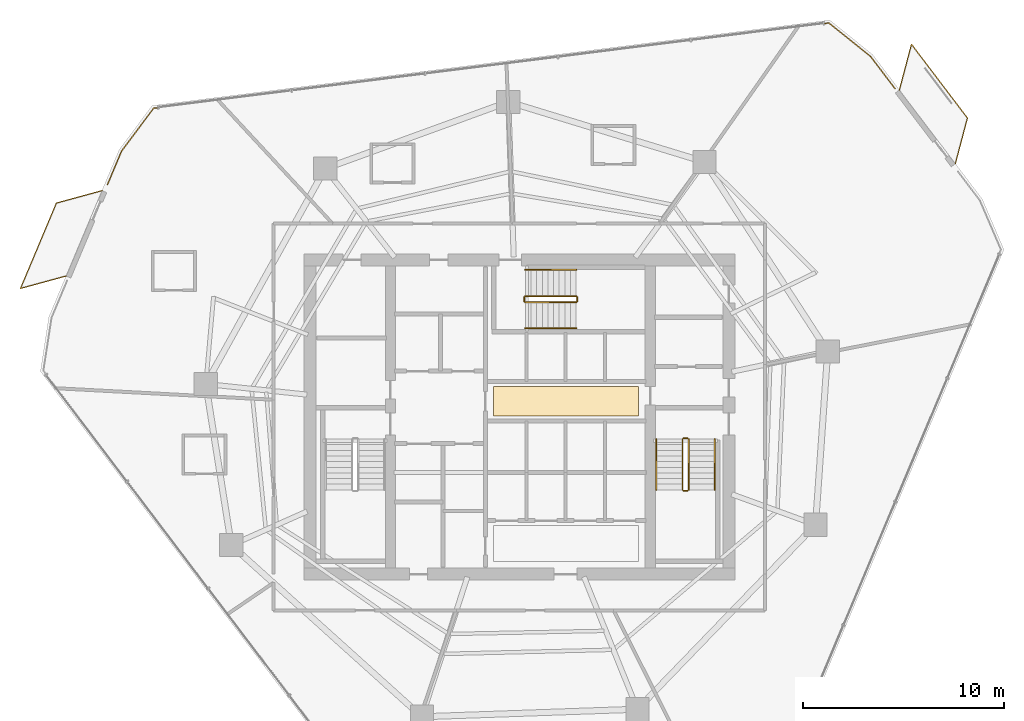
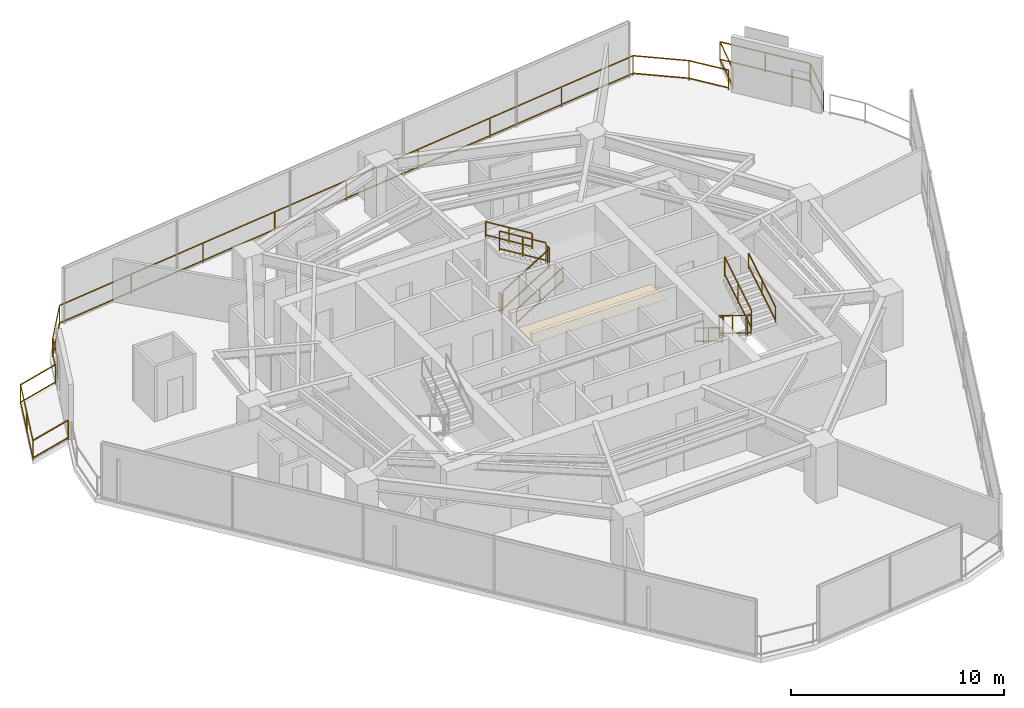
# One storey, part 30 of 30: 16 railings, 1 covering.
"""IFC4 building model written with IfcOpenShell, lengths in metres."""

from ifc_helpers import new_model, si_unit, direction, frame, origin, origin_2d, place, context, subcontext, project, spatial, rectangle, extrude, material, layer, layer_set, type_object, element, save


model = new_model("IFC4")

# Units and contexts
model_context = context("Model", 3, precision=1e-05, world=origin(), true_north=direction((0.0, 1.0)))
body_context = subcontext(model_context, "Body", "Model", "MODEL_VIEW")
ifc_project = project(units=[si_unit("LENGTHUNIT", "METRE"), si_unit("AREAUNIT", "SQUARE_METRE"), si_unit("VOLUMEUNIT", "CUBIC_METRE"), si_unit("PLANEANGLEUNIT", "RADIAN"), si_unit("MASSUNIT", "GRAM", prefix="KILO")], contexts=[model_context])

# Site, building, storey
site_placement = place(None, origin())
site = spatial("IfcSite", under=ifc_project, at=site_placement, CompositionType="ELEMENT")
building_placement = place(site_placement, origin())
building = spatial("IfcBuilding", under=site, at=building_placement, Name="Qarnah Convention Tower", CompositionType="ELEMENT")
storey_placement = place(building_placement, frame((0.0, 0.0, 93.60009765625)))
storey = spatial("IfcBuildingStorey", under=building, at=storey_placement, Name="L24", CompositionType="ELEMENT", Elevation=93.60009765625)

# Covering
ifc_material_1 = material(Name="Mineral fibre acoustic ceiling")
ifc_layer = layer(ifc_material_1, 0.02001953125)
ifc_layer_set = layer_set([ifc_layer], Name="Mineral fibre acoustic ceiling")
covering_type = type_object("IfcCoveringType", Name="COV-CEIL-20", PredefinedType="CEILING", material=ifc_layer_set)
covering_placement = place(storey_placement, frame((39.52001953125, 27.179931640625, 2.289794921875), z_axis=(0.0, 0.0, 1.0), x_axis=(1.0, 0.0, 0.0)))
element("IfcCovering", 1, at=covering_placement, inside=storey, type_object=covering_type, Name="L24 lift lobby acoustic ceiling", PredefinedType="CEILING", context=body_context, shape_type="SweptSolid", body=[
    extrude(rectangle(XDim=7.199951171875, YDim=1.449951171875, at=origin_2d()), origin(), (0.0, 0.0, 1.0), 0.02001953125),
])

# Railings
ifc_material_2 = material(Name="Black anodised aluminium", Category="aluminium")
railing_type_1 = type_object("IfcRailingType", Name="RL-EXT-GUARD-1150", PredefinedType="GUARDRAIL", material=ifc_material_2)
railing_1_placement = place(storey_placement, frame((54.637939453125, 44.294921875, 0.0)))
element("IfcRailing", 2, at=railing_1_placement, inside=storey, type_object=railing_type_1, Name="L24 slab-edge perimeter safety guard 01", PredefinedType="GUARDRAIL", context=body_context, shape_type="SweptSolid", body=[
    extrude(rectangle(XDim=0.048095703125, YDim=0.048095703125, at=origin_2d()), frame((0.0, 0.0, 1.1259765625), z_axis=(0.604378514325, -0.796697314808, 0.0), x_axis=(0.796697314808, 0.604378514325, 0.0)), (0.0, 0.0, 1.0), 2.01220703125),
    extrude(rectangle(XDim=0.048095703125, YDim=0.048095703125, at=origin_2d()), frame((0.0, 0.0, 0.1201171875), z_axis=(0.604378514325, -0.796697314808, 0.0), x_axis=(0.796697314808, 0.604378514325, 0.0)), (0.0, 0.0, 1.0), 2.01220703125),
    extrude(rectangle(XDim=0.0419921875, YDim=0.0419921875, at=origin_2d()), origin(), (0.0, 0.0, 1.0), 1.101806640625),
    extrude(rectangle(XDim=0.0419921875, YDim=0.0419921875, at=origin_2d()), frame((1.216064453125, -1.60302734375, 0.0)), (0.0, 0.0, 1.0), 1.101806640625),
])
railing_2_placement = place(storey_placement, frame((16.756103515625, 37.93701171875, 0.0)))
element("IfcRailing", 3, at=railing_2_placement, inside=storey, type_object=railing_type_1, Name="L24 slab-edge perimeter safety guard 03", PredefinedType="GUARDRAIL", context=body_context, shape_type="SweptSolid", body=[
    extrude(rectangle(XDim=0.048095703125, YDim=0.048095703125, at=origin_2d()), frame((0.0, 0.0, 1.1259765625), z_axis=(0.387050332514, 0.922058588215, 0.0), x_axis=(-0.922058588215, 0.387050332514, 0.0)), (0.0, 0.0, 1.0), 1.80029296875),
    extrude(rectangle(XDim=0.048095703125, YDim=0.048095703125, at=origin_2d()), frame((0.0, 0.0, 0.1201171875), z_axis=(0.387050332514, 0.922058588215, 0.0), x_axis=(-0.922058588215, 0.387050332514, 0.0)), (0.0, 0.0, 1.0), 1.80029296875),
    extrude(rectangle(XDim=0.048095703125, YDim=0.048095703125, at=origin_2d()), frame((0.69677734375, 1.659912109375, 1.1259765625), z_axis=(0.599074132276, 0.800693564379, 0.0), x_axis=(-0.800693564379, 0.599074132276, 0.0)), (0.0, 0.0, 1.0), 2.6591796875),
    extrude(rectangle(XDim=0.048095703125, YDim=0.048095703125, at=origin_2d()), frame((0.69677734375, 1.659912109375, 0.1201171875), z_axis=(0.599074132276, 0.800693564379, 0.0), x_axis=(-0.800693564379, 0.599074132276, 0.0)), (0.0, 0.0, 1.0), 2.6591796875),
    extrude(rectangle(XDim=0.048095703125, YDim=0.048095703125, at=origin_2d()), frame((2.289794921875, 3.7890625, 1.1259765625), z_axis=(0.992117644789, 0.125309931362, 0.0), x_axis=(-0.125309931362, 0.992117644789, 0.0)), (0.0, 0.0, 1.0), 33.787353515625),
    extrude(rectangle(XDim=0.048095703125, YDim=0.048095703125, at=origin_2d()), frame((2.289794921875, 3.7890625, 0.1201171875), z_axis=(0.992117644789, 0.125309931362, 0.0), x_axis=(-0.125309931362, 0.992117644789, 0.0)), (0.0, 0.0, 1.0), 33.787353515625),
    extrude(rectangle(XDim=0.048095703125, YDim=0.048095703125, at=origin_2d()), frame((35.810791015625, 8.02294921875, 1.1259765625), z_axis=(0.779360715972, -0.626575513725, 0.0), x_axis=(0.626575513725, 0.779360715972, 0.0)), (0.0, 0.0, 1.0), 2.657470703125),
    extrude(rectangle(XDim=0.048095703125, YDim=0.048095703125, at=origin_2d()), frame((35.810791015625, 8.02294921875, 0.1201171875), z_axis=(0.779360715972, -0.626575513725, 0.0), x_axis=(0.626575513725, 0.779360715972, 0.0)), (0.0, 0.0, 1.0), 2.657470703125),
    extrude(rectangle(XDim=0.0419921875, YDim=0.0419921875, at=origin_2d()), origin(), (0.0, 0.0, 1.0), 1.101806640625),
    extrude(rectangle(XDim=0.0419921875, YDim=0.0419921875, at=origin_2d()), frame((0.69677734375, 1.659912109375, 0.0)), (0.0, 0.0, 1.0), 1.101806640625),
    extrude(rectangle(XDim=0.0419921875, YDim=0.0419921875, at=origin_2d()), frame((2.289794921875, 3.7890625, 0.0)), (0.0, 0.0, 1.0), 1.101806640625),
    extrude(rectangle(XDim=0.0419921875, YDim=0.0419921875, at=origin_2d()), frame((6.47998046875, 4.318359375, 0.0)), (0.0, 0.0, 1.0), 1.101806640625),
    extrude(rectangle(XDim=0.0419921875, YDim=0.0419921875, at=origin_2d()), frame((10.669921875, 4.84765625, 0.0)), (0.0, 0.0, 1.0), 1.101806640625),
    extrude(rectangle(XDim=0.0419921875, YDim=0.0419921875, at=origin_2d()), frame((14.860107421875, 5.376708984375, 0.0)), (0.0, 0.0, 1.0), 1.101806640625),
    extrude(rectangle(XDim=0.0419921875, YDim=0.0419921875, at=origin_2d()), frame((19.05029296875, 5.906005859375, 0.0)), (0.0, 0.0, 1.0), 1.101806640625),
    extrude(rectangle(XDim=0.0419921875, YDim=0.0419921875, at=origin_2d()), frame((23.240478515625, 6.435302734375, 0.0)), (0.0, 0.0, 1.0), 1.101806640625),
    extrude(rectangle(XDim=0.0419921875, YDim=0.0419921875, at=origin_2d()), frame((27.4306640625, 6.96435546875, 0.0)), (0.0, 0.0, 1.0), 1.101806640625),
    extrude(rectangle(XDim=0.0419921875, YDim=0.0419921875, at=origin_2d()), frame((31.62060546875, 7.49365234375, 0.0)), (0.0, 0.0, 1.0), 1.101806640625),
    extrude(rectangle(XDim=0.0419921875, YDim=0.0419921875, at=origin_2d()), frame((35.810791015625, 8.02294921875, 0.0)), (0.0, 0.0, 1.0), 1.101806640625),
    extrude(rectangle(XDim=0.0419921875, YDim=0.0419921875, at=origin_2d()), frame((37.8818359375, 6.35791015625, 0.0)), (0.0, 0.0, 1.0), 1.101806640625),
])
railing_3_placement = place(storey_placement, frame((56.06689453125, 42.635009765625, 0.0)))
element("IfcRailing", 4, at=railing_3_placement, inside=storey, type_object=railing_type_1, Name="L24 balcony safety guard BAL-L24-C1", PredefinedType="GUARDRAIL", context=body_context, shape_type="SweptSolid", body=[
    extrude(rectangle(XDim=0.048095703125, YDim=0.048095703125, at=origin_2d()), frame((0.0, 0.0, 1.1259765625), z_axis=(0.255578174836, 0.966788392849, 0.0), x_axis=(-0.966788392849, 0.255578174836, 0.0)), (0.0, 0.0, 1.0), 2.347900390625),
    extrude(rectangle(XDim=0.048095703125, YDim=0.048095703125, at=origin_2d()), frame((0.0, 0.0, 0.1201171875), z_axis=(0.255578174836, 0.966788392849, 0.0), x_axis=(-0.966788392849, 0.255578174836, 0.0)), (0.0, 0.0, 1.0), 2.347900390625),
    extrude(rectangle(XDim=0.048095703125, YDim=0.048095703125, at=origin_2d()), frame((0.60009765625, 2.27001953125, 1.1259765625), z_axis=(0.604575811397, -0.79654760578, 0.0), x_axis=(0.79654760578, 0.604575811397, 0.0)), (0.0, 0.0, 1.0), 4.599853515625),
    extrude(rectangle(XDim=0.048095703125, YDim=0.048095703125, at=origin_2d()), frame((0.60009765625, 2.27001953125, 0.1201171875), z_axis=(0.604575811397, -0.79654760578, 0.0), x_axis=(0.79654760578, 0.604575811397, 0.0)), (0.0, 0.0, 1.0), 4.599853515625),
    extrude(rectangle(XDim=0.048095703125, YDim=0.048095703125, at=origin_2d()), frame((3.381103515625, -1.39404296875, 1.1259765625), z_axis=(-0.255578174836, -0.966788392849, 0.0), x_axis=(0.966788392849, -0.255578174836, 0.0)), (0.0, 0.0, 1.0), 2.347900390625),
    extrude(rectangle(XDim=0.048095703125, YDim=0.048095703125, at=origin_2d()), frame((3.381103515625, -1.39404296875, 0.1201171875), z_axis=(-0.255578174836, -0.966788392849, 0.0), x_axis=(0.966788392849, -0.255578174836, 0.0)), (0.0, 0.0, 1.0), 2.347900390625),
    extrude(rectangle(XDim=0.0419921875, YDim=0.0419921875, at=origin_2d()), origin(), (0.0, 0.0, 1.0), 1.101806640625),
    extrude(rectangle(XDim=0.0419921875, YDim=0.0419921875, at=origin_2d()), frame((0.60009765625, 2.27001953125, 0.0)), (0.0, 0.0, 1.0), 1.101806640625),
    extrude(rectangle(XDim=0.0419921875, YDim=0.0419921875, at=origin_2d()), frame((1.99072265625, 0.43798828125, 0.0)), (0.0, 0.0, 1.0), 1.101806640625),
    extrude(rectangle(XDim=0.0419921875, YDim=0.0419921875, at=origin_2d()), frame((3.381103515625, -1.39404296875, 0.0)), (0.0, 0.0, 1.0), 1.101806640625),
    extrude(rectangle(XDim=0.0419921875, YDim=0.0419921875, at=origin_2d()), frame((2.781005859375, -3.6640625, 0.0)), (0.0, 0.0, 1.0), 1.101806640625),
])
railing_4_placement = place(storey_placement, frame((14.699951171875, 33.39404296875, 0.0)))
element("IfcRailing", 5, at=railing_4_placement, inside=storey, type_object=railing_type_1, Name="L24 balcony safety guard BAL-L24-C2", PredefinedType="GUARDRAIL", context=body_context, shape_type="SweptSolid", body=[
    extrude(rectangle(XDim=0.048095703125, YDim=0.048095703125, at=origin_2d()), frame((0.0, 0.0, 1.1259765625), z_axis=(-0.964979441588, -0.262325517846, 0.0), x_axis=(0.262325517846, -0.964979441588, 0.0)), (0.0, 0.0, 1.0), 2.34814453125),
    extrude(rectangle(XDim=0.048095703125, YDim=0.048095703125, at=origin_2d()), frame((0.0, 0.0, 0.1201171875), z_axis=(-0.964979441588, -0.262325517846, 0.0), x_axis=(0.262325517846, -0.964979441588, 0.0)), (0.0, 0.0, 1.0), 2.34814453125),
    extrude(rectangle(XDim=0.048095703125, YDim=0.048095703125, at=origin_2d()), frame((-2.265869140625, -0.615966796875, 1.1259765625), z_axis=(0.387556354525, 0.921846013208, 0.0), x_axis=(-0.921846013208, 0.387556354525, 0.0)), (0.0, 0.0, 1.0), 4.6005859375),
    extrude(rectangle(XDim=0.048095703125, YDim=0.048095703125, at=origin_2d()), frame((-2.265869140625, -0.615966796875, 0.1201171875), z_axis=(0.387556354525, 0.921846013208, 0.0), x_axis=(-0.921846013208, 0.387556354525, 0.0)), (0.0, 0.0, 1.0), 4.6005859375),
    extrude(rectangle(XDim=0.048095703125, YDim=0.048095703125, at=origin_2d()), frame((-0.48291015625, 3.625, 1.1259765625), z_axis=(0.964950804697, 0.262430837582, 0.0), x_axis=(-0.262430837582, 0.964950804697, 0.0)), (0.0, 0.0, 1.0), 2.34716796875),
    extrude(rectangle(XDim=0.048095703125, YDim=0.048095703125, at=origin_2d()), frame((-0.48291015625, 3.625, 0.1201171875), z_axis=(0.964950804697, 0.262430837582, 0.0), x_axis=(-0.262430837582, 0.964950804697, 0.0)), (0.0, 0.0, 1.0), 2.34716796875),
    extrude(rectangle(XDim=0.0419921875, YDim=0.0419921875, at=origin_2d()), origin(), (0.0, 0.0, 1.0), 1.101806640625),
    extrude(rectangle(XDim=0.0419921875, YDim=0.0419921875, at=origin_2d()), frame((-2.265869140625, -0.615966796875, 0.0)), (0.0, 0.0, 1.0), 1.101806640625),
    extrude(rectangle(XDim=0.0419921875, YDim=0.0419921875, at=origin_2d()), frame((-1.37451171875, 1.50439453125, 0.0)), (0.0, 0.0, 1.0), 1.101806640625),
    extrude(rectangle(XDim=0.0419921875, YDim=0.0419921875, at=origin_2d()), frame((-0.48291015625, 3.625, 0.0)), (0.0, 0.0, 1.0), 1.101806640625),
    extrude(rectangle(XDim=0.0419921875, YDim=0.0419921875, at=origin_2d()), frame((1.781982421875, 4.240966796875, 0.0)), (0.0, 0.0, 1.0), 1.101806640625),
])
ifc_material_3 = material(Name="Structural steel S355JR", Category="steel")
railing_type_2 = type_object("IfcRailingType", Name="RL-STAIR-GUARD-1150", PredefinedType="GUARDRAIL", material=ifc_material_3)
railing_5_placement = place(storey_placement, frame((45.300048828125, 25.300048828125, 0.17236328125)))
element("IfcRailing", 6, at=railing_5_placement, inside=storey, type_object=railing_type_2, Name="L24 ST-2 stair guard 1", PredefinedType="GUARDRAIL", context=body_context, shape_type="SweptSolid", body=[
    extrude(rectangle(XDim=0.048095703125, YDim=0.048095703125, at=origin_2d()), frame((0.0, 0.0, 1.1259765625), z_axis=(0.0, -0.851400495292, 0.524516154772), x_axis=(1.0, 0.0, 0.0)), (0.0, 0.0, 1.0), 2.9599609375),
    extrude(rectangle(XDim=0.048095703125, YDim=0.048095703125, at=origin_2d()), frame((0.0, 0.0, 0.1201171875), z_axis=(0.0, -0.851400495292, 0.524516154772), x_axis=(1.0, 0.0, 0.0)), (0.0, 0.0, 1.0), 2.9599609375),
    extrude(rectangle(XDim=0.0419921875, YDim=0.0419921875, at=origin_2d()), origin(), (0.0, 0.0, 1.0), 1.101806640625),
    extrude(rectangle(XDim=0.0419921875, YDim=0.0419921875, at=origin_2d()), frame((0.0, -1.260009765625, 0.7763671875)), (0.0, 0.0, 1.0), 1.101806640625),
    extrude(rectangle(XDim=0.0419921875, YDim=0.0419921875, at=origin_2d()), frame((0.0, -2.52001953125, 1.552490234375)), (0.0, 0.0, 1.0), 1.101806640625),
])
railing_6_placement = place(storey_placement, frame((45.35009765625, 22.72998046875, 1.724853515625)))
element("IfcRailing", 7, at=railing_6_placement, inside=storey, type_object=railing_type_2, Name="L24 ST-2 stair guard 2", PredefinedType="GUARDRAIL", context=body_context, shape_type="SweptSolid", body=[
    extrude(rectangle(XDim=0.048095703125, YDim=0.048095703125, at=origin_2d()), frame((0.0, 0.0, 1.1259765625), z_axis=(1.0, 0.0, 0.0), x_axis=(0.0, 1.0, 0.0)), (0.0, 0.0, 1.0), 0.199951171875),
    extrude(rectangle(XDim=0.048095703125, YDim=0.048095703125, at=origin_2d()), frame((0.0, 0.0, 0.1201171875), z_axis=(1.0, 0.0, 0.0), x_axis=(0.0, 1.0, 0.0)), (0.0, 0.0, 1.0), 0.199951171875),
    extrude(rectangle(XDim=0.0419921875, YDim=0.0419921875, at=origin_2d()), origin(), (0.0, 0.0, 1.0), 1.101806640625),
    extrude(rectangle(XDim=0.0419921875, YDim=0.0419921875, at=origin_2d()), frame((0.199951171875, 0.0, 0.0)), (0.0, 0.0, 1.0), 1.101806640625),
])
railing_7_placement = place(storey_placement, frame((45.60009765625, 22.780029296875, 1.8974609375)))
element("IfcRailing", 8, at=railing_7_placement, inside=storey, type_object=railing_type_2, Name="L24 ST-2 stair guard 3", PredefinedType="GUARDRAIL", context=body_context, shape_type="SweptSolid", body=[
    extrude(rectangle(XDim=0.048095703125, YDim=0.048095703125, at=origin_2d()), frame((0.0, 0.0, 1.1259765625), z_axis=(0.0, 0.851400495292, 0.524516154772), x_axis=(-1.0, 0.0, 0.0)), (0.0, 0.0, 1.0), 2.9599609375),
    extrude(rectangle(XDim=0.048095703125, YDim=0.048095703125, at=origin_2d()), frame((0.0, 0.0, 0.1201171875), z_axis=(0.0, 0.851400495292, 0.524516154772), x_axis=(-1.0, 0.0, 0.0)), (0.0, 0.0, 1.0), 2.9599609375),
    extrude(rectangle(XDim=0.0419921875, YDim=0.0419921875, at=origin_2d()), origin(), (0.0, 0.0, 1.0), 1.101806640625),
    extrude(rectangle(XDim=0.0419921875, YDim=0.0419921875, at=origin_2d()), frame((0.0, 1.260009765625, 0.7763671875)), (0.0, 0.0, 1.0), 1.101806640625),
    extrude(rectangle(XDim=0.0419921875, YDim=0.0419921875, at=origin_2d()), frame((0.0, 2.52001953125, 1.552490234375)), (0.0, 0.0, 1.0), 1.101806640625),
])
railing_8_placement = place(storey_placement, frame((45.35009765625, 25.35009765625, 0.0)))
element("IfcRailing", 9, at=railing_8_placement, inside=storey, type_object=railing_type_2, Name="L24 ST-2 stair guard 4", PredefinedType="GUARDRAIL", context=body_context, shape_type="SweptSolid", body=[
    extrude(rectangle(XDim=0.048095703125, YDim=0.048095703125, at=origin_2d()), frame((0.0, 0.0, 1.1259765625), z_axis=(1.0, 0.0, 0.0), x_axis=(0.0, 1.0, 0.0)), (0.0, 0.0, 1.0), 0.199951171875),
    extrude(rectangle(XDim=0.048095703125, YDim=0.048095703125, at=origin_2d()), frame((0.0, 0.0, 0.1201171875), z_axis=(1.0, 0.0, 0.0), x_axis=(0.0, 1.0, 0.0)), (0.0, 0.0, 1.0), 0.199951171875),
    extrude(rectangle(XDim=0.0419921875, YDim=0.0419921875, at=origin_2d()), origin(), (0.0, 0.0, 1.0), 1.101806640625),
    extrude(rectangle(XDim=0.0419921875, YDim=0.0419921875, at=origin_2d()), frame((0.199951171875, 0.0, 0.0)), (0.0, 0.0, 1.0), 1.101806640625),
])
railing_9_placement = place(storey_placement, frame((37.5, 32.10009765625, 0.17236328125)))
element("IfcRailing", 10, at=railing_9_placement, inside=storey, type_object=railing_type_2, Name="L24 ST-3 stair guard 1", PredefinedType="GUARDRAIL", context=body_context, shape_type="SweptSolid", body=[
    extrude(rectangle(XDim=0.048095703125, YDim=0.048095703125, at=origin_2d()), frame((0.0, 0.0, 1.1259765625), z_axis=(0.851400495292, 0.0, 0.524516154772), x_axis=(0.0, 1.0, 0.0)), (0.0, 0.0, 1.0), 2.9599609375),
    extrude(rectangle(XDim=0.048095703125, YDim=0.048095703125, at=origin_2d()), frame((0.0, 0.0, 0.1201171875), z_axis=(0.851400495292, 0.0, 0.524516154772), x_axis=(0.0, 1.0, 0.0)), (0.0, 0.0, 1.0), 2.9599609375),
    extrude(rectangle(XDim=0.0419921875, YDim=0.0419921875, at=origin_2d()), origin(), (0.0, 0.0, 1.0), 1.101806640625),
    extrude(rectangle(XDim=0.0419921875, YDim=0.0419921875, at=origin_2d()), frame((1.260009765625, 0.0, 0.7763671875)), (0.0, 0.0, 1.0), 1.101806640625),
    extrude(rectangle(XDim=0.0419921875, YDim=0.0419921875, at=origin_2d()), frame((2.52001953125, 0.0, 1.552490234375)), (0.0, 0.0, 1.0), 1.101806640625),
])
railing_10_placement = place(storey_placement, frame((40.070068359375, 32.14990234375, 1.724853515625)))
element("IfcRailing", 11, at=railing_10_placement, inside=storey, type_object=railing_type_2, Name="L24 ST-3 stair guard 2", PredefinedType="GUARDRAIL", context=body_context, shape_type="SweptSolid", body=[
    extrude(rectangle(XDim=0.048095703125, YDim=0.048095703125, at=origin_2d()), frame((0.0, 0.0, 1.1259765625), z_axis=(0.0, 1.0, 0.0), x_axis=(-1.0, 0.0, 0.0)), (0.0, 0.0, 1.0), 0.2001953125),
    extrude(rectangle(XDim=0.048095703125, YDim=0.048095703125, at=origin_2d()), frame((0.0, 0.0, 0.1201171875), z_axis=(0.0, 1.0, 0.0), x_axis=(-1.0, 0.0, 0.0)), (0.0, 0.0, 1.0), 0.2001953125),
    extrude(rectangle(XDim=0.0419921875, YDim=0.0419921875, at=origin_2d()), origin(), (0.0, 0.0, 1.0), 1.101806640625),
    extrude(rectangle(XDim=0.0419921875, YDim=0.0419921875, at=origin_2d()), frame((0.0, 0.2001953125, 0.0)), (0.0, 0.0, 1.0), 1.101806640625),
])
railing_11_placement = place(storey_placement, frame((40.02001953125, 32.39990234375, 1.8974609375)))
element("IfcRailing", 12, at=railing_11_placement, inside=storey, type_object=railing_type_2, Name="L24 ST-3 stair guard 3", PredefinedType="GUARDRAIL", context=body_context, shape_type="SweptSolid", body=[
    extrude(rectangle(XDim=0.048095703125, YDim=0.048095703125, at=origin_2d()), frame((0.0, 0.0, 1.1259765625), z_axis=(-0.851400495292, 0.0, 0.524516154772), x_axis=(0.0, -1.0, 0.0)), (0.0, 0.0, 1.0), 2.9599609375),
    extrude(rectangle(XDim=0.048095703125, YDim=0.048095703125, at=origin_2d()), frame((0.0, 0.0, 0.1201171875), z_axis=(-0.851400495292, 0.0, 0.524516154772), x_axis=(0.0, -1.0, 0.0)), (0.0, 0.0, 1.0), 2.9599609375),
    extrude(rectangle(XDim=0.0419921875, YDim=0.0419921875, at=origin_2d()), origin(), (0.0, 0.0, 1.0), 1.101806640625),
    extrude(rectangle(XDim=0.0419921875, YDim=0.0419921875, at=origin_2d()), frame((-1.260009765625, 0.0, 0.7763671875)), (0.0, 0.0, 1.0), 1.101806640625),
    extrude(rectangle(XDim=0.0419921875, YDim=0.0419921875, at=origin_2d()), frame((-2.52001953125, 0.0, 1.552490234375)), (0.0, 0.0, 1.0), 1.101806640625),
])
railing_12_placement = place(storey_placement, frame((37.449951171875, 32.14990234375, 0.0)))
element("IfcRailing", 13, at=railing_12_placement, inside=storey, type_object=railing_type_2, Name="L24 ST-3 stair guard 4", PredefinedType="GUARDRAIL", context=body_context, shape_type="SweptSolid", body=[
    extrude(rectangle(XDim=0.048095703125, YDim=0.048095703125, at=origin_2d()), frame((0.0, 0.0, 1.1259765625), z_axis=(0.0, 1.0, 0.0), x_axis=(-1.0, 0.0, 0.0)), (0.0, 0.0, 1.0), 0.2001953125),
    extrude(rectangle(XDim=0.048095703125, YDim=0.048095703125, at=origin_2d()), frame((0.0, 0.0, 0.1201171875), z_axis=(0.0, 1.0, 0.0), x_axis=(-1.0, 0.0, 0.0)), (0.0, 0.0, 1.0), 0.2001953125),
    extrude(rectangle(XDim=0.0419921875, YDim=0.0419921875, at=origin_2d()), origin(), (0.0, 0.0, 1.0), 1.101806640625),
    extrude(rectangle(XDim=0.0419921875, YDim=0.0419921875, at=origin_2d()), frame((0.0, 0.2001953125, 0.0)), (0.0, 0.0, 1.0), 1.101806640625),
])
railing_type_3 = type_object("IfcRailingType", Name="RL-STAIR-HAND-900", PredefinedType="HANDRAIL", material=ifc_material_3)
railing_13_placement = place(storey_placement, frame((44.0, 25.300048828125, 0.17236328125)))
element("IfcRailing", 14, at=railing_13_placement, inside=storey, type_object=railing_type_3, Name="L24 ST-2 stair handrail 1", PredefinedType="HANDRAIL", context=body_context, shape_type="SweptSolid", body=[
    extrude(rectangle(XDim=0.048095703125, YDim=0.048095703125, at=origin_2d()), frame((0.0, 0.0, 0.8759765625), z_axis=(0.0, -0.851400495292, 0.524516154772), x_axis=(1.0, 0.0, 0.0)), (0.0, 0.0, 1.0), 2.9599609375),
    extrude(rectangle(XDim=0.048095703125, YDim=0.048095703125, at=origin_2d()), frame((0.0, 0.0, 0.1201171875), z_axis=(0.0, -0.851400495292, 0.524516154772), x_axis=(1.0, 0.0, 0.0)), (0.0, 0.0, 1.0), 2.9599609375),
    extrude(rectangle(XDim=0.0419921875, YDim=0.0419921875, at=origin_2d()), origin(), (0.0, 0.0, 1.0), 0.851806640625),
    extrude(rectangle(XDim=0.0419921875, YDim=0.0419921875, at=origin_2d()), frame((0.0, -1.260009765625, 0.7763671875)), (0.0, 0.0, 1.0), 0.851806640625),
    extrude(rectangle(XDim=0.0419921875, YDim=0.0419921875, at=origin_2d()), frame((0.0, -2.52001953125, 1.552490234375)), (0.0, 0.0, 1.0), 0.851806640625),
])
railing_14_placement = place(storey_placement, frame((46.89990234375, 22.780029296875, 1.8974609375)))
element("IfcRailing", 15, at=railing_14_placement, inside=storey, type_object=railing_type_3, Name="L24 ST-2 stair handrail 2", PredefinedType="HANDRAIL", context=body_context, shape_type="SweptSolid", body=[
    extrude(rectangle(XDim=0.048095703125, YDim=0.048095703125, at=origin_2d()), frame((0.0, 0.0, 0.8759765625), z_axis=(0.0, 0.851400495292, 0.524516154772), x_axis=(-1.0, 0.0, 0.0)), (0.0, 0.0, 1.0), 2.9599609375),
    extrude(rectangle(XDim=0.048095703125, YDim=0.048095703125, at=origin_2d()), frame((0.0, 0.0, 0.1201171875), z_axis=(0.0, 0.851400495292, 0.524516154772), x_axis=(-1.0, 0.0, 0.0)), (0.0, 0.0, 1.0), 2.9599609375),
    extrude(rectangle(XDim=0.0419921875, YDim=0.0419921875, at=origin_2d()), origin(), (0.0, 0.0, 1.0), 0.851806640625),
    extrude(rectangle(XDim=0.0419921875, YDim=0.0419921875, at=origin_2d()), frame((0.0, 1.260009765625, 0.7763671875)), (0.0, 0.0, 1.0), 0.851806640625),
    extrude(rectangle(XDim=0.0419921875, YDim=0.0419921875, at=origin_2d()), frame((0.0, 2.52001953125, 1.552490234375)), (0.0, 0.0, 1.0), 0.851806640625),
])
railing_15_placement = place(storey_placement, frame((37.5, 30.800048828125, 0.17236328125)))
element("IfcRailing", 16, at=railing_15_placement, inside=storey, type_object=railing_type_3, Name="L24 ST-3 stair handrail 1", PredefinedType="HANDRAIL", context=body_context, shape_type="SweptSolid", body=[
    extrude(rectangle(XDim=0.048095703125, YDim=0.048095703125, at=origin_2d()), frame((0.0, 0.0, 0.8759765625), z_axis=(0.851400495292, 0.0, 0.524516154772), x_axis=(0.0, 1.0, 0.0)), (0.0, 0.0, 1.0), 2.9599609375),
    extrude(rectangle(XDim=0.048095703125, YDim=0.048095703125, at=origin_2d()), frame((0.0, 0.0, 0.1201171875), z_axis=(0.851400495292, 0.0, 0.524516154772), x_axis=(0.0, 1.0, 0.0)), (0.0, 0.0, 1.0), 2.9599609375),
    extrude(rectangle(XDim=0.0419921875, YDim=0.0419921875, at=origin_2d()), origin(), (0.0, 0.0, 1.0), 0.851806640625),
    extrude(rectangle(XDim=0.0419921875, YDim=0.0419921875, at=origin_2d()), frame((1.260009765625, 0.0, 0.7763671875)), (0.0, 0.0, 1.0), 0.851806640625),
    extrude(rectangle(XDim=0.0419921875, YDim=0.0419921875, at=origin_2d()), frame((2.52001953125, 0.0, 1.552490234375)), (0.0, 0.0, 1.0), 0.851806640625),
])
railing_16_placement = place(storey_placement, frame((40.02001953125, 33.699951171875, 1.8974609375)))
element("IfcRailing", 17, at=railing_16_placement, inside=storey, type_object=railing_type_3, Name="L24 ST-3 stair handrail 2", PredefinedType="HANDRAIL", context=body_context, shape_type="SweptSolid", body=[
    extrude(rectangle(XDim=0.048095703125, YDim=0.048095703125, at=origin_2d()), frame((0.0, 0.0, 0.8759765625), z_axis=(-0.851400495292, 0.0, 0.524516154772), x_axis=(0.0, -1.0, 0.0)), (0.0, 0.0, 1.0), 2.9599609375),
    extrude(rectangle(XDim=0.048095703125, YDim=0.048095703125, at=origin_2d()), frame((0.0, 0.0, 0.1201171875), z_axis=(-0.851400495292, 0.0, 0.524516154772), x_axis=(0.0, -1.0, 0.0)), (0.0, 0.0, 1.0), 2.9599609375),
    extrude(rectangle(XDim=0.0419921875, YDim=0.0419921875, at=origin_2d()), origin(), (0.0, 0.0, 1.0), 0.851806640625),
    extrude(rectangle(XDim=0.0419921875, YDim=0.0419921875, at=origin_2d()), frame((-1.260009765625, 0.0, 0.7763671875)), (0.0, 0.0, 1.0), 0.851806640625),
    extrude(rectangle(XDim=0.0419921875, YDim=0.0419921875, at=origin_2d()), frame((-2.52001953125, 0.0, 1.552490234375)), (0.0, 0.0, 1.0), 0.851806640625),
])

save(model, "model.ifc")
